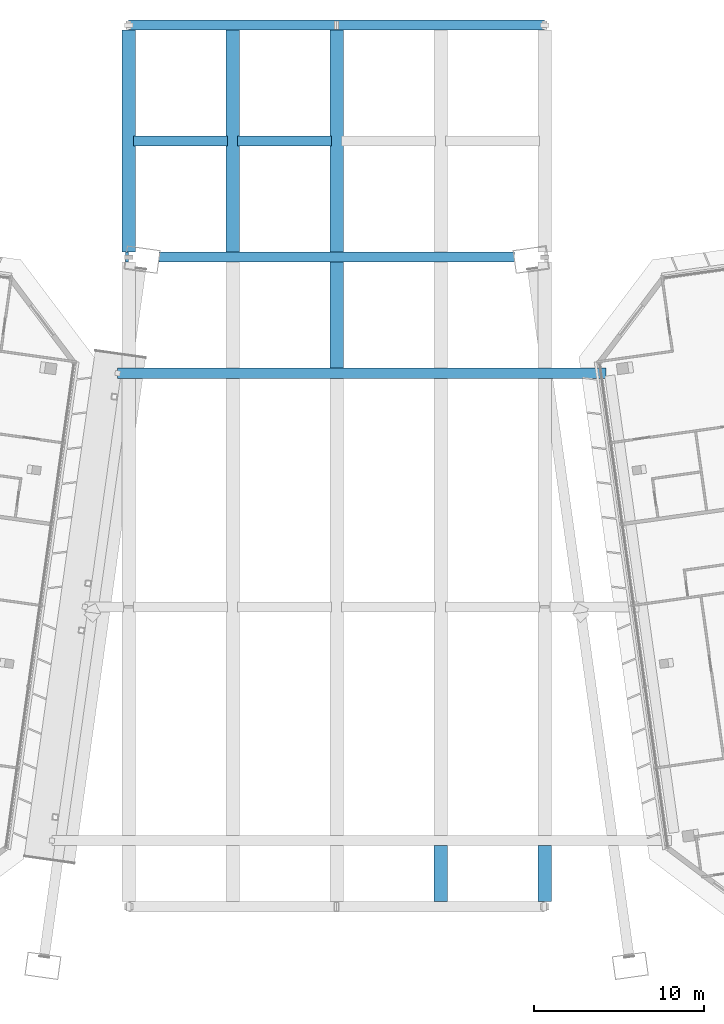
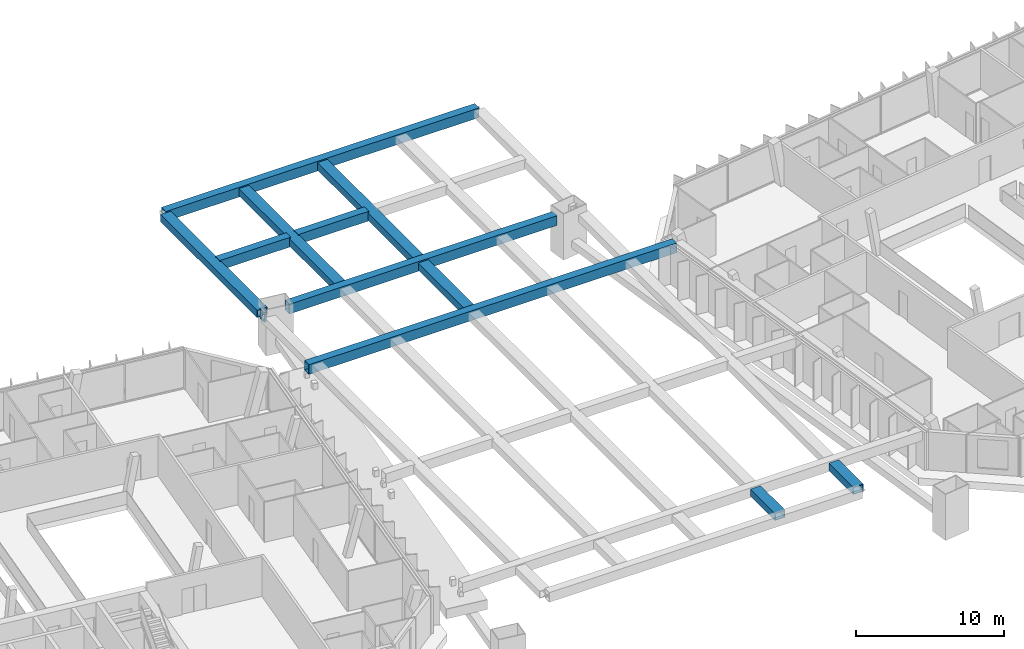
# One storey, part 11 of 36: 12 members.
"""IFC4 building model written with IfcOpenShell, lengths in metres."""

from ifc_helpers import new_model, si_unit, direction, frame, origin, origin_2d, place, context, subcontext, project, spatial, hollow_rectangle, extrude, material, material_profile, profile_set, type_object, element, save


model = new_model("IFC4")

# Units and contexts
model_context = context("Model", 3, precision=1e-05, world=origin(), true_north=direction((0.0, 1.0)))
body_context = subcontext(model_context, "Body", "Model", "MODEL_VIEW")
ifc_project = project(units=[si_unit("LENGTHUNIT", "METRE"), si_unit("AREAUNIT", "SQUARE_METRE"), si_unit("VOLUMEUNIT", "CUBIC_METRE"), si_unit("PLANEANGLEUNIT", "RADIAN"), si_unit("MASSUNIT", "GRAM", prefix="KILO")], contexts=[model_context])

# Site, building, storey
site_placement = place(None, origin())
site = spatial("IfcSite", under=ifc_project, at=site_placement, CompositionType="ELEMENT")
building_placement = place(site_placement, origin())
building = spatial("IfcBuilding", under=site, at=building_placement, Name="Mirante Cascada Hotel Towers", CompositionType="ELEMENT")
storey_placement = place(building_placement, frame((0.0, 0.0, 254.6)))
storey = spatial("IfcBuildingStorey", under=building, at=storey_placement, Name="L61", CompositionType="ELEMENT", Elevation=254.6)

# Members
ifc_material = material(Name="Steel ASTM A572 Gr 50", Category="steel")
ifc_material_profile = material_profile(ifc_material, hollow_rectangle(XDim=0.6, YDim=0.8, WallThickness=0.04, at=origin_2d()), Name="Box chord 800x600x40 ASTM A572 Gr 50")
ifc_profile_set = profile_set([ifc_material_profile], Name="Steel ASTM A572 Gr 50")
member_type = type_object("IfcMemberType", Name="Box chord 800x600x40 ASTM A572 Gr 50", PredefinedType="CHORD", material=ifc_profile_set)
for number, where, z_axis, x_axis, name in (
    (1, (-12.2514, 17.0475, 2.9), (0.0, 1.0, 0.0), (0.0, 0.0, 1.0), "dchord sky park L62 4"),
    (2, (-6.1257, 17.0475, 2.9), (0.0, 1.0, 0.0), (0.0, 0.0, 1.0), "dchord sky park L62 8"),
):
    element("IfcMember", number, at=place(storey_placement, frame(where, z_axis=z_axis, x_axis=x_axis)), inside=storey, type_object=member_type, Name=name, PredefinedType="CHORD", context=body_context, shape_type="SweptSolid", body=[
        extrude(hollow_rectangle(XDim=0.6, YDim=0.8, WallThickness=0.04, at=origin_2d()), origin(), (0.0, 0.0, 1.0), 13.0667),
    ])
member_1_placement = place(storey_placement, frame((0.0, 10.2142, 2.9), z_axis=(0.0, 1.0, 0.0), x_axis=(0.0, 0.0, 1.0)))
element("IfcMember", 3, at=member_1_placement, inside=storey, type_object=member_type, Name="dchord sky park L62 11", PredefinedType="CHORD", context=body_context, shape_type="SweptSolid", body=[
    extrude(hollow_rectangle(XDim=0.6, YDim=0.8, WallThickness=0.04, at=origin_2d()), origin(), (0.0, 0.0, 1.0), 6.2333),
])
member_2_placement = place(storey_placement, frame((0.0, 17.0475, 2.9), z_axis=(0.0, 1.0, 0.0), x_axis=(0.0, 0.0, 1.0)))
element("IfcMember", 4, at=member_2_placement, inside=storey, type_object=member_type, Name="dchord sky park L62 12", PredefinedType="CHORD", context=body_context, shape_type="SweptSolid", body=[
    extrude(hollow_rectangle(XDim=0.6, YDim=0.8, WallThickness=0.04, at=origin_2d()), origin(), (0.0, 0.0, 1.0), 13.0667),
])
for number, where, z_axis, x_axis, name in (
    (5, (6.1257, -21.2153, 2.9), (0.0, 1.0, 0.0), (0.0, 0.0, 1.0), "dchord sky park L62 13"),
    (6, (12.2514, -21.2153, 2.9), (0.0, 1.0, 0.0), (0.0, 0.0, 1.0), "dchord sky park L62 17"),
):
    element("IfcMember", number, at=place(storey_placement, frame(where, z_axis=z_axis, x_axis=x_axis)), inside=storey, type_object=member_type, Name=name, PredefinedType="CHORD", context=body_context, shape_type="SweptSolid", body=[
        extrude(hollow_rectangle(XDim=0.6, YDim=0.8, WallThickness=0.04, at=origin_2d()), origin(), (0.0, 0.0, 1.0), 3.3),
    ])
member_3_placement = place(storey_placement, frame((-12.8957, 9.9142, 2.9), z_axis=(1.0, 0.0, 0.0), x_axis=(0.0, 1.0, 0.0)))
element("IfcMember", 7, at=member_3_placement, inside=storey, type_object=member_type, Name="dchord sky park L62 28", PredefinedType="CHORD", context=body_context, shape_type="SweptSolid", body=[
    extrude(hollow_rectangle(XDim=0.6, YDim=0.8, WallThickness=0.04, at=origin_2d()), origin(), (0.0, 0.0, 1.0), 28.7626),
])
member_4_placement = place(storey_placement, frame((-10.4636, 16.7475, 2.9), z_axis=(1.0, 0.0, 0.0), x_axis=(0.0, 1.0, 0.0)))
element("IfcMember", 8, at=member_4_placement, inside=storey, type_object=member_type, Name="dchord sky park L62 30", PredefinedType="CHORD", context=body_context, shape_type="SweptSolid", body=[
    extrude(hollow_rectangle(XDim=0.6, YDim=0.8, WallThickness=0.04, at=origin_2d()), origin(), (0.0, 0.0, 1.0), 20.9272),
])
member_5_placement = place(storey_placement, frame((-12.2514, 16.7475, 2.9), z_axis=(-1.0, 0.0, 0.0), x_axis=(0.0, 1.0, 0.0)))
element("IfcMember", 9, at=member_5_placement, inside=storey, type_object=member_type, Name="dchord sky park L62 31", PredefinedType="CHORD", context=body_context, shape_type="SweptSolid", body=[
    extrude(hollow_rectangle(XDim=0.6, YDim=0.8, WallThickness=0.04, at=origin_2d()), origin(), (0.0, 0.0, 1.0), 0.1875),
])
for number, where, z_axis, x_axis, name in (
    (10, (-11.9514, 23.5808, 2.9), (1.0, 0.0, 0.0), (0.0, 1.0, 0.0), "dchord sky park L62 33"),
    (11, (-5.8257, 23.5808, 2.9), (1.0, 0.0, 0.0), (0.0, 1.0, 0.0), "dchord sky park L62 34"),
):
    element("IfcMember", number, at=place(storey_placement, frame(where, z_axis=z_axis, x_axis=x_axis)), inside=storey, type_object=member_type, Name=name, PredefinedType="CHORD", context=body_context, shape_type="SweptSolid", body=[
        extrude(hollow_rectangle(XDim=0.6, YDim=0.8, WallThickness=0.04, at=origin_2d()), origin(), (0.0, 0.0, 1.0), 5.5257),
    ])
member_6_placement = place(storey_placement, frame((-12.2514, 30.4142, 2.9), z_axis=(1.0, 0.0, 0.0), x_axis=(0.0, 1.0, 0.0)))
element("IfcMember", 12, at=member_6_placement, inside=storey, type_object=member_type, Name="dchord sky park L62 37", PredefinedType="CHORD", context=body_context, shape_type="SweptSolid", body=[
    extrude(hollow_rectangle(XDim=0.6, YDim=0.8, WallThickness=0.04, at=origin_2d()), origin(), (0.0, 0.0, 1.0), 24.5028),
])

save(model, "model.ifc")
